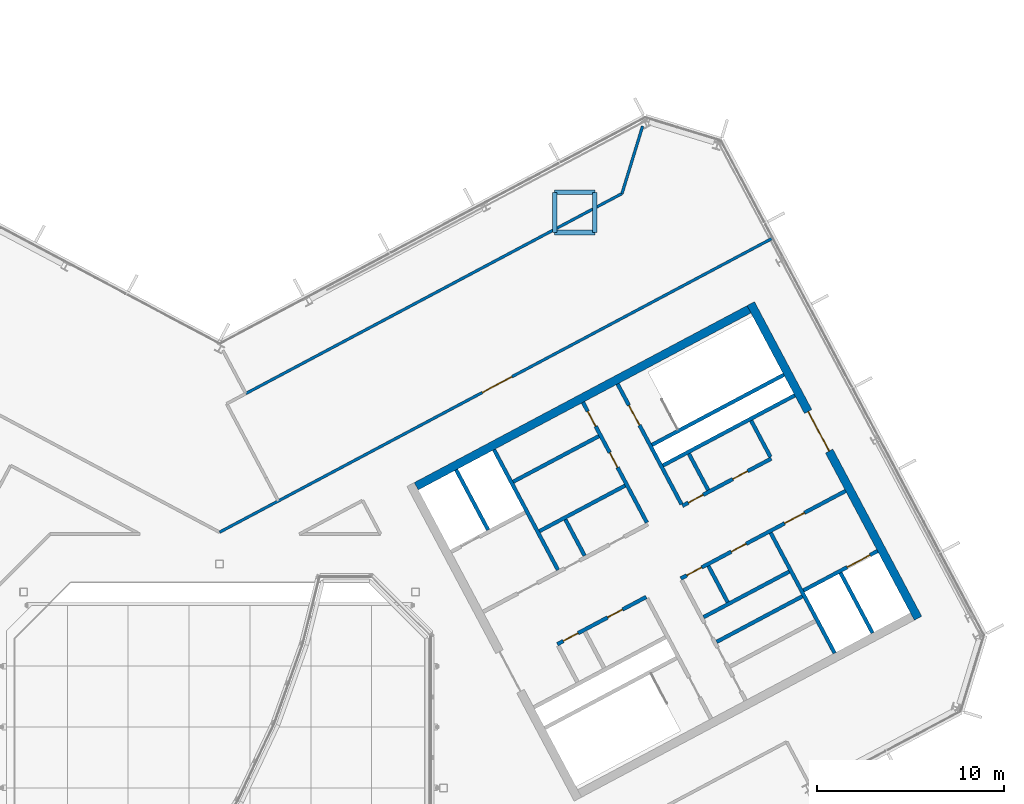
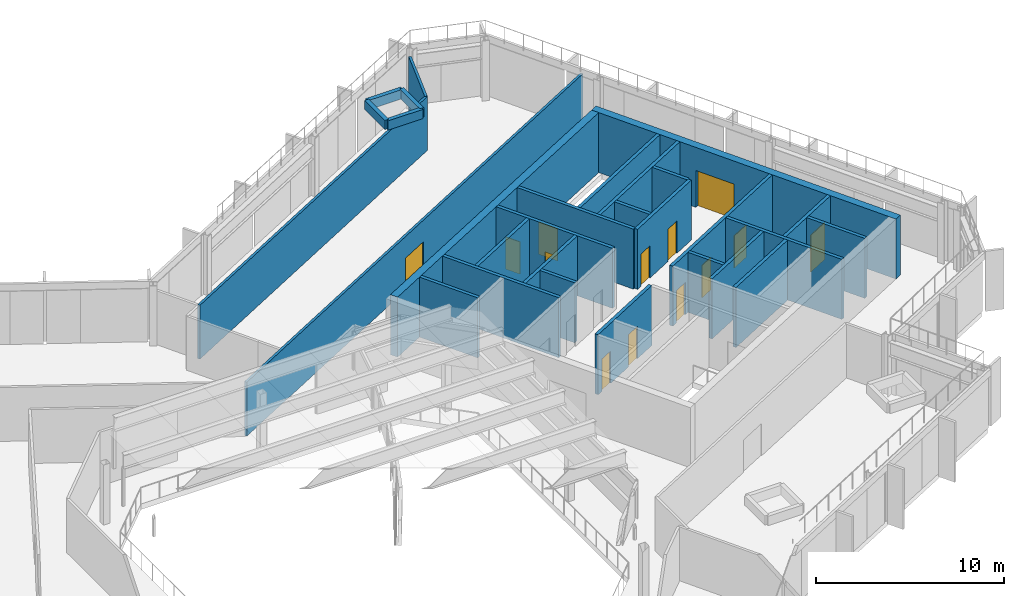
# One storey, part 27 of 35: 29 walls, 13 doors, 13 openings.
"""IFC4 building model written with IfcOpenShell, lengths in metres."""

from ifc_helpers import new_model, si_unit, direction, frame, frame_2d, origin, place, context, subcontext, project, spatial, rectangle, extrude, material, layer, layer_set, type_object, element, fill, save


model = new_model("IFC4")

# Units and contexts
model_context = context("Model", 3, precision=1e-05, world=origin(), true_north=direction((0.0, 1.0)))
body_context = subcontext(model_context, "Body", "Model", "MODEL_VIEW")
ifc_project = project(units=[si_unit("LENGTHUNIT", "METRE"), si_unit("AREAUNIT", "SQUARE_METRE"), si_unit("VOLUMEUNIT", "CUBIC_METRE"), si_unit("PLANEANGLEUNIT", "RADIAN"), si_unit("MASSUNIT", "GRAM", prefix="KILO")], contexts=[model_context])

# Site, building, storey
site_placement = place(None, origin())
site = spatial("IfcSite", under=ifc_project, at=site_placement, CompositionType="ELEMENT")
building_placement = place(site_placement, origin())
building = spatial("IfcBuilding", under=site, at=building_placement, Name="Cormorant Relay Tower", CompositionType="ELEMENT")
storey_placement = place(building_placement, frame((0.0, 0.0, 324.300048828125)))
storey = spatial("IfcBuildingStorey", under=building, at=storey_placement, Name="L74", CompositionType="ELEMENT", Elevation=324.300048828125)

# Walls
ifc_material_1 = material(Name="Concrete 40 MPa", Category="concrete")
ifc_layer_1 = layer(ifc_material_1, 0.199951171875)
ifc_layer_set_1 = layer_set([ifc_layer_1], Name="Core internal wall 200")
wall_type_1 = type_object("IfcWallType", Name="Core internal wall 200", PredefinedType="SOLIDWALL", material=ifc_layer_set_1)
for number, where, z_axis, x_axis, name in (
    (1, (19.568603515625, 12.443603515625, 0.0), (0.0, 0.0, 1.0), (-0.4694473164, 0.882960484464, 0.0), "L74 core B shaft and room wall"),
    (2, (27.236083984375, 9.951416015625, 0.0), (0.0, 0.0, 1.0), (-0.4694473164, 0.882960484464, 0.0), "L74 core B shaft and room wall"),
    (3, (26.19091796875, 15.964599609375, 0.0), (0.0, 0.0, 1.0), (-0.469533832133, 0.882914480843, 0.0), "L74 core B shaft and room wall"),
):
    element("IfcWall", number, at=place(storey_placement, frame(where, z_axis=z_axis, x_axis=x_axis)), inside=storey, type_object=wall_type_1, Name=name, PredefinedType="SOLIDWALL", context=body_context, shape_type="SweptSolid", body=[
        extrude(rectangle(XDim=2.199951171875, YDim=0.199951171875, at=frame_2d((1.10009765625, 0.0))), origin(), (0.0, 0.0, 1.0), 3.89990234375),
    ])
for number, where, z_axis, x_axis, name in (
    (4, (26.645263671875, 7.8251953125, 0.0), (0.0, 0.0, 1.0), (0.882953967957, 0.469459572775, 0.0), "L74 core B shaft and room wall"),
    (5, (15.738525390625, 16.409423828125, 0.0), (0.0, 0.0, 1.0), (0.882934506056, 0.469496174655, 0.0), "L74 core B shaft and room wall"),
):
    element("IfcWall", number, at=place(storey_placement, frame(where, z_axis=z_axis, x_axis=x_axis)), inside=storey, type_object=wall_type_1, Name=name, PredefinedType="SOLIDWALL", context=body_context, shape_type="SweptSolid", body=[
        extrude(rectangle(XDim=5.199951171875, YDim=0.199951171875, at=frame_2d((2.60009765625, 0.0))), origin(), (0.0, 0.0, 1.0), 3.89990234375),
    ])
ifc_material_2 = material(Name="Concrete 50 MPa", Category="concrete")
ifc_layer_2 = layer(ifc_material_2, 0.199951171875)
ifc_layer_set_2 = layer_set([ifc_layer_2], Name="Core shaft wall 200")
wall_type_2 = type_object("IfcWallType", Name="Core shaft wall 200", PredefinedType="SHEAR", material=ifc_layer_set_2)
wall_1_placement = place(storey_placement, frame((14.39404296875, 13.825927734375, 0.0), z_axis=(0.0, 0.0, 1.0), x_axis=(-0.469494272526, 0.882935517501, 0.0)))
element("IfcWall", 6, at=wall_1_placement, inside=storey, type_object=wall_type_2, Name="L74 core B shaft wall", PredefinedType="SHEAR", context=body_context, shape_type="SweptSolid", body=[
    extrude(rectangle(XDim=3.64990234375, YDim=0.199951171875, at=frame_2d((1.824951171875, 0.0))), origin(), (0.0, 0.0, 1.0), 3.89990234375),
])
wall_2_placement = place(storey_placement, frame((18.138427734375, 11.682861328125, 0.0), z_axis=(0.0, 0.0, 1.0), x_axis=(-0.469480409012, 0.88294288918, 0.0)))
element("IfcWall", 7, at=wall_2_placement, inside=storey, type_object=wall_type_2, Name="L74 core B shaft wall", PredefinedType="SHEAR", context=body_context, shape_type="SweptSolid", body=[
    extrude(rectangle(XDim=7.300048828125, YDim=0.199951171875, at=frame_2d((3.64990234375, 0.0))), origin(), (0.0, 0.0, 1.0), 3.89990234375),
])

# Wall, openings, doors
wall_3_placement = place(storey_placement, frame((22.90625, 14.218017578125, 0.0), z_axis=(0.0, 0.0, 1.0), x_axis=(-0.469480409012, 0.88294288918, 0.0)))
wall_3 = element("IfcWall", 8, at=wall_3_placement, inside=storey, type_object=wall_type_2, Name="L74 core B shaft wall", PredefinedType="SHEAR", context=body_context, shape_type="SweptSolid", body=[
    extrude(rectangle(XDim=7.300048828125, YDim=0.199951171875, at=frame_2d((3.64990234375, 0.0))), origin(), (0.0, 0.0, 1.0), 3.89990234375),
])
opening_1_placement = place(wall_3_placement, frame((3.35009765625, 0.0, 0.0)))
opening_1 = element("IfcOpeningElement", 9, at=opening_1_placement, cuts=wall_3, Name="Opening CDD-352", PredefinedType="OPENING", context=body_context, shape_type="SweptSolid", body=[
    extrude(rectangle(XDim=0.89990234375, YDim=2.10009765625, at=frame_2d((0.449951171875, 1.050048828125))), frame((0.0, 0.10986328125, 0.0), z_axis=(0.0, -1.0, 0.0), x_axis=(1.0, 0.0, 0.0)), (0.0, 0.0, 1.0), 0.219970703125),
])
opening_2_placement = place(wall_3_placement, frame((5.85009765625, 0.0, 0.0)))
opening_2 = element("IfcOpeningElement", 10, at=opening_2_placement, cuts=wall_3, Name="Opening CDD-353", PredefinedType="OPENING", context=body_context, shape_type="SweptSolid", body=[
    extrude(rectangle(XDim=0.89990234375, YDim=2.10009765625, at=frame_2d((0.449951171875, 1.050048828125))), frame((0.0, 0.10986328125, 0.0), z_axis=(0.0, -1.0, 0.0), x_axis=(1.0, 0.0, 0.0)), (0.0, 0.0, 1.0), 0.219970703125),
])
ifc_material_3 = material(Name="Steel fire door", Category="steel")
door_type_1 = type_object("IfcDoorType", Name="Core room door 900x2100", OperationType="SINGLE_SWING_LEFT", PredefinedType="DOOR", material=ifc_material_3)
door_1_placement = place(opening_1_placement, origin())
door_1 = element("IfcDoor", 11, at=door_1_placement, inside=storey, type_object=door_type_1, Name="Core room door 900x2100", OperationType="SINGLE_SWING_RIGHT", OverallHeight=2.10009765625, OverallWidth=0.89990234375, PredefinedType="DOOR", context=body_context, shape_type="SweptSolid", body=[
    extrude(rectangle(XDim=0.89990234375, YDim=2.10009765625, at=frame_2d((0.449951171875, 1.050048828125))), frame((0.0, 0.02490234375, 0.0), z_axis=(0.0, -1.0, 0.0), x_axis=(1.0, 0.0, 0.0)), (0.0, 0.0, 1.0), 0.050048828125),
])
fill(opening_1, door_1)
door_2_placement = place(opening_2_placement, origin())
door_2 = element("IfcDoor", 12, at=door_2_placement, inside=storey, type_object=door_type_1, Name="Core room door 900x2100", OperationType="SINGLE_SWING_LEFT", OverallHeight=2.10009765625, OverallWidth=0.89990234375, PredefinedType="DOOR", context=body_context, shape_type="SweptSolid", body=[
    extrude(rectangle(XDim=0.89990234375, YDim=2.10009765625, at=frame_2d((0.449951171875, 1.050048828125))), frame((0.0, 0.02490234375, 0.0), z_axis=(0.0, -1.0, 0.0), x_axis=(1.0, 0.0, 0.0)), (0.0, 0.0, 1.0), 0.050048828125),
])
fill(opening_2, door_2)

# Wall, opening, door
wall_4_placement = place(storey_placement, frame((24.760498046875, 15.2041015625, 0.0), z_axis=(0.0, 0.0, 1.0), x_axis=(-0.469494272526, 0.882935517501, 0.0)))
wall_4 = element("IfcWall", 13, at=wall_4_placement, inside=storey, type_object=wall_type_2, Name="L74 core B shaft wall", PredefinedType="SHEAR", context=body_context, shape_type="SweptSolid", body=[
    extrude(rectangle(XDim=7.2998046875, YDim=0.199951171875, at=frame_2d((3.64990234375, 0.0))), origin(), (0.0, 0.0, 1.0), 3.89990234375),
])
opening_3_placement = place(wall_4_placement, frame((4.800048828125, 0.0, 0.0)))
opening_3 = element("IfcOpeningElement", 14, at=opening_3_placement, cuts=wall_4, Name="Opening CDB-043", PredefinedType="OPENING", context=body_context, shape_type="SweptSolid", body=[
    extrude(rectangle(XDim=1.199951171875, YDim=2.10009765625, at=frame_2d((0.60009765625, 1.050048828125))), frame((0.0, 0.10986328125, 0.0), z_axis=(0.0, -1.0, 0.0), x_axis=(1.0, 0.0, 0.0)), (0.0, 0.0, 1.0), 0.219970703125),
])
ifc_material_4 = material(Name="Steel fire door", Category="steel")
door_type_2 = type_object("IfcDoorType", Name="Core stair door 1200x2100", OperationType="SINGLE_SWING_LEFT", PredefinedType="DOOR", material=ifc_material_4)
door_3_placement = place(opening_3_placement, origin())
door_3 = element("IfcDoor", 15, at=door_3_placement, inside=storey, type_object=door_type_2, Name="Core stair door 1200x2100", OperationType="SINGLE_SWING_RIGHT", OverallHeight=2.10009765625, OverallWidth=1.199951171875, PredefinedType="DOOR", context=body_context, shape_type="SweptSolid", body=[
    extrude(rectangle(XDim=1.199951171875, YDim=2.10009765625, at=frame_2d((0.60009765625, 1.050048828125))), frame((0.0, 0.02490234375, 0.0), z_axis=(0.0, -1.0, 0.0), x_axis=(1.0, 0.0, 0.0)), (0.0, 0.0, 1.0), 0.050048828125),
])
fill(opening_3, door_3)

# Walls
wall_5_placement = place(storey_placement, frame((32.968017578125, 7.222900390625, 0.0), z_axis=(0.0, 0.0, 1.0), x_axis=(-0.469480409012, 0.88294288918, 0.0)))
element("IfcWall", 16, at=wall_5_placement, inside=storey, type_object=wall_type_2, Name="L74 core B shaft wall", PredefinedType="SHEAR", context=body_context, shape_type="SweptSolid", body=[
    extrude(rectangle(XDim=7.300048828125, YDim=0.199951171875, at=frame_2d((3.64990234375, 0.0))), origin(), (0.0, 0.0, 1.0), 3.89990234375),
])
wall_6_placement = place(storey_placement, frame((29.5283203125, 17.739013671875, 0.0), z_axis=(0.0, 0.0, 1.0), x_axis=(-0.469401318492, 0.882984938828, 0.0)))
element("IfcWall", 17, at=wall_6_placement, inside=storey, type_object=wall_type_2, Name="L74 core B shaft wall", PredefinedType="SHEAR", context=body_context, shape_type="SweptSolid", body=[
    extrude(rectangle(XDim=2.199951171875, YDim=0.199951171875, at=frame_2d((1.10009765625, 0.0))), origin(), (0.0, 0.0, 1.0), 3.89990234375),
])
wall_7_placement = place(storey_placement, frame((34.998779296875, 8.302734375, 0.0), z_axis=(0.0, 0.0, 1.0), x_axis=(-0.4694665462, 0.882950260207, 0.0)))
element("IfcWall", 18, at=wall_7_placement, inside=storey, type_object=wall_type_2, Name="L74 core B shaft wall", PredefinedType="SHEAR", context=body_context, shape_type="SweptSolid", body=[
    extrude(rectangle(XDim=3.650146484375, YDim=0.199951171875, at=frame_2d((1.8251953125, 0.0))), origin(), (0.0, 0.0, 1.0), 3.89990234375),
])

# Wall, opening, door
wall_8_placement = place(storey_placement, frame((31.295654296875, 10.5810546875, 0.0), z_axis=(0.0, 0.0, 1.0), x_axis=(0.882960433586, 0.469447412093, 0.0)))
wall_8 = element("IfcWall", 19, at=wall_8_placement, inside=storey, type_object=wall_type_2, Name="L74 core B shaft wall", PredefinedType="SHEAR", context=body_context, shape_type="SweptSolid", body=[
    extrude(rectangle(XDim=4.5, YDim=0.199951171875, at=frame_2d((2.25, 0.0))), origin(), (0.0, 0.0, 1.0), 3.89990234375),
])
opening_4_placement = place(wall_8_placement, frame((2.64990234375, 0.0, 0.0)))
opening_4 = element("IfcOpeningElement", 20, at=opening_4_placement, cuts=wall_8, Name="Opening LD3-016", PredefinedType="OPENING", context=body_context, shape_type="SweptSolid", body=[
    extrude(rectangle(XDim=1.39990234375, YDim=2.39990234375, at=frame_2d((0.699951171875, 1.199951171875))), frame((0.0, 0.10986328125, 0.0), z_axis=(0.0, -1.0, 0.0), x_axis=(1.0, 0.0, 0.0)), (0.0, 0.0, 1.0), 0.219970703125),
])
ifc_material_5 = material(Name="Stainless steel 316", Category="steel")
door_type_3 = type_object("IfcDoorType", Name="Lift landing door 1400x2400", OperationType="DOUBLE_DOOR_SLIDING", PredefinedType="DOOR", material=ifc_material_5)
door_4_placement = place(opening_4_placement, origin())
door_4 = element("IfcDoor", 21, at=door_4_placement, inside=storey, type_object=door_type_3, Name="SV2 landing door", OperationType="DOUBLE_DOOR_SLIDING", OverallHeight=2.39990234375, OverallWidth=1.39990234375, PredefinedType="DOOR", context=body_context, shape_type="SweptSolid", body=[
    extrude(rectangle(XDim=1.39990234375, YDim=2.39990234375, at=frame_2d((0.699951171875, 1.199951171875))), frame((0.0, 0.02490234375, 0.0), z_axis=(0.0, -1.0, 0.0), x_axis=(1.0, 0.0, 0.0)), (0.0, 0.0, 1.0), 0.050048828125),
])
fill(opening_4, door_4)

# Wall
wall_9_placement = place(storey_placement, frame((25.94091796875, 9.149658203125, 0.0), z_axis=(0.0, 0.0, 1.0), x_axis=(0.882953967957, 0.469459572775, 0.0)))
element("IfcWall", 22, at=wall_9_placement, inside=storey, type_object=wall_type_2, Name="L74 core B shaft wall", PredefinedType="SHEAR", context=body_context, shape_type="SweptSolid", body=[
    extrude(rectangle(XDim=5.199951171875, YDim=0.199951171875, at=frame_2d((2.60009765625, 0.0))), origin(), (0.0, 0.0, 1.0), 3.89990234375),
])

# Wall, openings, doors
wall_10_placement = place(storey_placement, frame((18.103759765625, 7.70068359375, 0.0), z_axis=(0.0, 0.0, 1.0), x_axis=(0.882952937579, 0.469461510692, 0.0)))
wall_10 = element("IfcWall", 23, at=wall_10_placement, inside=storey, type_object=wall_type_2, Name="L74 core B shaft wall", PredefinedType="SHEAR", context=body_context, shape_type="SweptSolid", body=[
    extrude(rectangle(XDim=5.400146484375, YDim=0.199951171875, at=frame_2d((2.7001953125, 0.0))), origin(), (0.0, 0.0, 1.0), 3.89990234375),
])
opening_5_placement = place(wall_10_placement, frame((0.360107421875, 0.0, 0.0)))
opening_5 = element("IfcOpeningElement", 24, at=opening_5_placement, cuts=wall_10, Name="Opening CDD-245", PredefinedType="OPENING", context=body_context, shape_type="SweptSolid", body=[
    extrude(rectangle(XDim=0.89990234375, YDim=2.10009765625, at=frame_2d((0.449951171875, 1.050048828125))), frame((0.0, 0.10986328125, 0.0), z_axis=(0.0, -1.0, 0.0), x_axis=(1.0, 0.0, 0.0)), (0.0, 0.0, 1.0), 0.219970703125),
])
opening_6_placement = place(wall_10_placement, frame((3.06005859375, 0.0, 0.0)))
opening_6 = element("IfcOpeningElement", 25, at=opening_6_placement, cuts=wall_10, Name="Opening CDD-246", PredefinedType="OPENING", context=body_context, shape_type="SweptSolid", body=[
    extrude(rectangle(XDim=0.89990234375, YDim=2.10009765625, at=frame_2d((0.449951171875, 1.050048828125))), frame((0.0, 0.10986328125, 0.0), z_axis=(0.0, -1.0, 0.0), x_axis=(1.0, 0.0, 0.0)), (0.0, 0.0, 1.0), 0.219970703125),
])
door_5_placement = place(opening_5_placement, frame((0.89990234375, 0.0, 0.0), z_axis=(0.0, 0.0, 1.0), x_axis=(-1.0, 0.0, 0.0)))
door_5 = element("IfcDoor", 26, at=door_5_placement, inside=storey, type_object=door_type_1, Name="Core room door 900x2100", OperationType="SINGLE_SWING_RIGHT", OverallHeight=2.10009765625, OverallWidth=0.89990234375, PredefinedType="DOOR", context=body_context, shape_type="SweptSolid", body=[
    extrude(rectangle(XDim=0.89990234375, YDim=2.10009765625, at=frame_2d((0.449951171875, 1.050048828125))), frame((0.0, 0.02490234375, 0.0), z_axis=(0.0, -1.0, 0.0), x_axis=(1.0, 0.0, 0.0)), (0.0, 0.0, 1.0), 0.050048828125),
])
fill(opening_5, door_5)
door_6_placement = place(opening_6_placement, frame((0.89990234375, 0.0, 0.0), z_axis=(0.0, 0.0, 1.0), x_axis=(-1.0, 0.0, 0.0)))
door_6 = element("IfcDoor", 27, at=door_6_placement, inside=storey, type_object=door_type_1, Name="Core room door 900x2100", OperationType="SINGLE_SWING_RIGHT", OverallHeight=2.10009765625, OverallWidth=0.89990234375, PredefinedType="DOOR", context=body_context, shape_type="SweptSolid", body=[
    extrude(rectangle(XDim=0.89990234375, YDim=2.10009765625, at=frame_2d((0.449951171875, 1.050048828125))), frame((0.0, 0.02490234375, 0.0), z_axis=(0.0, -1.0, 0.0), x_axis=(1.0, 0.0, 0.0)), (0.0, 0.0, 1.0), 0.050048828125),
])
fill(opening_6, door_6)

wall_11_placement = place(storey_placement, frame((24.72607421875, 11.2216796875, 0.0), z_axis=(0.0, 0.0, 1.0), x_axis=(0.882940221191, 0.469485426614, 0.0)))
wall_11 = element("IfcWall", 28, at=wall_11_placement, inside=storey, type_object=wall_type_2, Name="L74 core B shaft wall", PredefinedType="SHEAR", context=body_context, shape_type="SweptSolid", body=[
    extrude(rectangle(XDim=10.0, YDim=0.199951171875, at=frame_2d((5.0, 0.0))), origin(), (0.0, 0.0, 1.0), 3.89990234375),
])
opening_7_placement = place(wall_11_placement, frame((6.300048828125, 0.0, 0.0)))
opening_7 = element("IfcOpeningElement", 29, at=opening_7_placement, cuts=wall_11, Name="Opening CDC-038", PredefinedType="OPENING", context=body_context, shape_type="SweptSolid", body=[
    extrude(rectangle(XDim=1.199951171875, YDim=2.10009765625, at=frame_2d((0.60009765625, 1.050048828125))), frame((0.0, 0.10986328125, 0.0), z_axis=(0.0, -1.0, 0.0), x_axis=(1.0, 0.0, 0.0)), (0.0, 0.0, 1.0), 0.219970703125),
])
opening_8_placement = place(wall_11_placement, frame((0.360107421875, 0.0, 0.0)))
opening_8 = element("IfcOpeningElement", 30, at=opening_8_placement, cuts=wall_11, Name="Opening CDD-247", PredefinedType="OPENING", context=body_context, shape_type="SweptSolid", body=[
    extrude(rectangle(XDim=0.89990234375, YDim=2.10009765625, at=frame_2d((0.449951171875, 1.050048828125))), frame((0.0, 0.10986328125, 0.0), z_axis=(0.0, -1.0, 0.0), x_axis=(1.0, 0.0, 0.0)), (0.0, 0.0, 1.0), 0.219970703125),
])
opening_9_placement = place(wall_11_placement, frame((3.06005859375, 0.0, 0.0)))
opening_9 = element("IfcOpeningElement", 31, at=opening_9_placement, cuts=wall_11, Name="Opening CDD-248", PredefinedType="OPENING", context=body_context, shape_type="SweptSolid", body=[
    extrude(rectangle(XDim=0.89990234375, YDim=2.10009765625, at=frame_2d((0.449951171875, 1.050048828125))), frame((0.0, 0.10986328125, 0.0), z_axis=(0.0, -1.0, 0.0), x_axis=(1.0, 0.0, 0.0)), (0.0, 0.0, 1.0), 0.219970703125),
])
ifc_material_6 = material(Name="Steel fire door", Category="steel")
door_type_4 = type_object("IfcDoorType", Name="Core lobby door 1200x2100", OperationType="SINGLE_SWING_LEFT", PredefinedType="DOOR", material=ifc_material_6)
door_7_placement = place(opening_7_placement, origin())
door_7 = element("IfcDoor", 32, at=door_7_placement, inside=storey, type_object=door_type_4, Name="Core lobby door 1200x2100", OperationType="SINGLE_SWING_LEFT", OverallHeight=2.10009765625, OverallWidth=1.199951171875, PredefinedType="DOOR", context=body_context, shape_type="SweptSolid", body=[
    extrude(rectangle(XDim=1.199951171875, YDim=2.10009765625, at=frame_2d((0.60009765625, 1.050048828125))), frame((0.0, 0.02490234375, 0.0), z_axis=(0.0, -1.0, 0.0), x_axis=(1.0, 0.0, 0.0)), (0.0, 0.0, 1.0), 0.050048828125),
])
fill(opening_7, door_7)
door_8_placement = place(opening_8_placement, frame((0.89990234375, 0.0, 0.0), z_axis=(0.0, 0.0, 1.0), x_axis=(-1.0, 0.0, 0.0)))
door_8 = element("IfcDoor", 33, at=door_8_placement, inside=storey, type_object=door_type_1, Name="Core room door 900x2100", OperationType="SINGLE_SWING_RIGHT", OverallHeight=2.10009765625, OverallWidth=0.89990234375, PredefinedType="DOOR", context=body_context, shape_type="SweptSolid", body=[
    extrude(rectangle(XDim=0.89990234375, YDim=2.10009765625, at=frame_2d((0.449951171875, 1.050048828125))), frame((0.0, 0.02490234375, 0.0), z_axis=(0.0, -1.0, 0.0), x_axis=(1.0, 0.0, 0.0)), (0.0, 0.0, 1.0), 0.050048828125),
])
fill(opening_8, door_8)
door_9_placement = place(opening_9_placement, frame((0.89990234375, 0.0, 0.0), z_axis=(0.0, 0.0, 1.0), x_axis=(-1.0, 0.0, 0.0)))
door_9 = element("IfcDoor", 34, at=door_9_placement, inside=storey, type_object=door_type_1, Name="Core room door 900x2100", OperationType="SINGLE_SWING_RIGHT", OverallHeight=2.10009765625, OverallWidth=0.89990234375, PredefinedType="DOOR", context=body_context, shape_type="SweptSolid", body=[
    extrude(rectangle(XDim=0.89990234375, YDim=2.10009765625, at=frame_2d((0.449951171875, 1.050048828125))), frame((0.0, 0.02490234375, 0.0), z_axis=(0.0, -1.0, 0.0), x_axis=(1.0, 0.0, 0.0)), (0.0, 0.0, 1.0), 0.050048828125),
])
fill(opening_9, door_9)

wall_12_placement = place(storey_placement, frame((24.807373046875, 15.11572265625, 0.0), z_axis=(0.0, 0.0, 1.0), x_axis=(0.882942972946, 0.469480251476, 0.0)))
wall_12 = element("IfcWall", 35, at=wall_12_placement, inside=storey, type_object=wall_type_2, Name="L74 core B shaft wall", PredefinedType="SHEAR", context=body_context, shape_type="SweptSolid", body=[
    extrude(rectangle(XDim=5.39990234375, YDim=0.199951171875, at=frame_2d((2.699951171875, 0.0))), origin(), (0.0, 0.0, 1.0), 3.89990234375),
])
opening_10_placement = place(wall_12_placement, frame((0.360107421875, 0.0, 0.0)))
opening_10 = element("IfcOpeningElement", 36, at=opening_10_placement, cuts=wall_12, Name="Opening CDD-243", PredefinedType="OPENING", context=body_context, shape_type="SweptSolid", body=[
    extrude(rectangle(XDim=0.89990234375, YDim=2.10009765625, at=frame_2d((0.449951171875, 1.050048828125))), frame((0.0, 0.10986328125, 0.0), z_axis=(0.0, -1.0, 0.0), x_axis=(1.0, 0.0, 0.0)), (0.0, 0.0, 1.0), 0.219970703125),
])
opening_11_placement = place(wall_12_placement, frame((3.06005859375, 0.0, 0.0)))
opening_11 = element("IfcOpeningElement", 37, at=opening_11_placement, cuts=wall_12, Name="Opening CDD-294", PredefinedType="OPENING", context=body_context, shape_type="SweptSolid", body=[
    extrude(rectangle(XDim=0.89990234375, YDim=2.10009765625, at=frame_2d((0.449951171875, 1.050048828125))), frame((0.0, 0.10986328125, 0.0), z_axis=(0.0, -1.0, 0.0), x_axis=(1.0, 0.0, 0.0)), (0.0, 0.0, 1.0), 0.219970703125),
])
door_10_placement = place(opening_10_placement, origin())
door_10 = element("IfcDoor", 38, at=door_10_placement, inside=storey, type_object=door_type_1, Name="Core room door 900x2100", OperationType="SINGLE_SWING_LEFT", OverallHeight=2.10009765625, OverallWidth=0.89990234375, PredefinedType="DOOR", context=body_context, shape_type="SweptSolid", body=[
    extrude(rectangle(XDim=0.89990234375, YDim=2.10009765625, at=frame_2d((0.449951171875, 1.050048828125))), frame((0.0, 0.02490234375, 0.0), z_axis=(0.0, -1.0, 0.0), x_axis=(1.0, 0.0, 0.0)), (0.0, 0.0, 1.0), 0.050048828125),
])
fill(opening_10, door_10)
door_11_placement = place(opening_11_placement, origin())
door_11 = element("IfcDoor", 39, at=door_11_placement, inside=storey, type_object=door_type_1, Name="Core room door 900x2100", OperationType="SINGLE_SWING_LEFT", OverallHeight=2.10009765625, OverallWidth=0.89990234375, PredefinedType="DOOR", context=body_context, shape_type="SweptSolid", body=[
    extrude(rectangle(XDim=0.89990234375, YDim=2.10009765625, at=frame_2d((0.449951171875, 1.050048828125))), frame((0.0, 0.02490234375, 0.0), z_axis=(0.0, -1.0, 0.0), x_axis=(1.0, 0.0, 0.0)), (0.0, 0.0, 1.0), 0.050048828125),
])
fill(opening_11, door_11)

# Walls
wall_13_placement = place(storey_placement, frame((17.146728515625, 13.7607421875, 0.0), z_axis=(0.0, 0.0, 1.0), x_axis=(0.882964314875, 0.469440111896, 0.0)))
element("IfcWall", 40, at=wall_13_placement, inside=storey, type_object=wall_type_2, Name="L74 core B shaft wall", PredefinedType="SHEAR", context=body_context, shape_type="SweptSolid", body=[
    extrude(rectangle(XDim=5.2001953125, YDim=0.199951171875, at=frame_2d((2.60009765625, 0.0))), origin(), (0.0, 0.0, 1.0), 3.89990234375),
])
wall_14_placement = place(storey_placement, frame((23.76904296875, 17.28173828125, 0.0), z_axis=(0.0, 0.0, 1.0), x_axis=(0.882940221191, 0.469485426614, 0.0)))
element("IfcWall", 41, at=wall_14_placement, inside=storey, type_object=wall_type_2, Name="L74 core B shaft wall", PredefinedType="SHEAR", context=body_context, shape_type="SweptSolid", body=[
    extrude(rectangle(XDim=8.0, YDim=0.199951171875, at=frame_2d((4.0, 0.0))), origin(), (0.0, 0.0, 1.0), 3.89990234375),
])
wall_15_placement = place(storey_placement, frame((23.18212890625, 18.385498046875, 0.0), z_axis=(0.0, 0.0, 1.0), x_axis=(0.88295287151, 0.469461634952, 0.0)))
element("IfcWall", 42, at=wall_15_placement, inside=storey, type_object=wall_type_2, Name="L74 core B shaft wall", PredefinedType="SHEAR", context=body_context, shape_type="SweptSolid", body=[
    extrude(rectangle(XDim=7.999755859375, YDim=0.199951171875, at=frame_2d((4.0, 0.0))), origin(), (0.0, 0.0, 1.0), 3.89990234375),
])

# Wall, opening, door
ifc_material_7 = material(Name="Concrete 50 MPa", Category="concrete")
ifc_layer_3 = layer(ifc_material_7, 0.449951171875)
ifc_layer_set_3 = layer_set([ifc_layer_3], Name="Core wall 450")
wall_type_3 = type_object("IfcWallType", Name="Core wall 450", PredefinedType="SHEAR", material=ifc_layer_set_3)
wall_16_placement = place(storey_placement, frame((37.439453125, 9.0908203125, 0.0), z_axis=(0.0, 0.0, 1.0), x_axis=(-0.469467968382, 0.882949504028, 0.0)))
wall_16 = element("IfcWall", 43, at=wall_16_placement, inside=storey, type_object=wall_type_3, Name="L74 core B wall", PredefinedType="SHEAR", context=body_context, shape_type="SweptSolid", body=[
    extrude(rectangle(XDim=19.099853515625, YDim=0.449951171875, at=frame_2d((9.5498046875, 0.0))), origin(), (0.0, 0.0, 1.0), 3.89990234375),
])
opening_12_placement = place(wall_16_placement, frame((10.14990234375, 0.0, 0.0)))
opening_12 = element("IfcOpeningElement", 44, at=opening_12_placement, cuts=wall_16, Name="Opening CDA-053", PredefinedType="OPENING", context=body_context, shape_type="SweptSolid", body=[
    extrude(rectangle(XDim=2.39990234375, YDim=2.39990234375, at=frame_2d((1.199951171875, 1.199951171875))), frame((0.0, 0.23486328125, 0.0), z_axis=(0.0, -1.0, 0.0), x_axis=(1.0, 0.0, 0.0)), (0.0, 0.0, 1.0), 0.469970703125),
])
ifc_material_8 = material(Name="Steel fire door", Category="steel")
door_type_5 = type_object("IfcDoorType", Name="Core lobby door 2400x2400", OperationType="DOUBLE_DOOR_SINGLE_SWING", PredefinedType="DOOR", material=ifc_material_8)
door_12_placement = place(opening_12_placement, origin())
door_12 = element("IfcDoor", 45, at=door_12_placement, inside=storey, type_object=door_type_5, Name="Core lobby door 2400x2400", OperationType="DOUBLE_DOOR_SINGLE_SWING", OverallHeight=2.39990234375, OverallWidth=2.39990234375, PredefinedType="DOOR", context=body_context, shape_type="SweptSolid", body=[
    extrude(rectangle(XDim=2.39990234375, YDim=2.39990234375, at=frame_2d((1.199951171875, 1.199951171875))), frame((0.0, 0.02490234375, 0.0), z_axis=(0.0, -1.0, 0.0), x_axis=(1.0, 0.0, 0.0)), (0.0, 0.0, 1.0), 0.050048828125),
])
fill(opening_12, door_12)

# Wall
wall_17_placement = place(storey_placement, frame((10.5439453125, 16.16748046875, 0.0), z_axis=(0.0, 0.0, 1.0), x_axis=(0.882947755831, 0.46947125628, 0.0)))
element("IfcWall", 46, at=wall_17_placement, inside=storey, type_object=wall_type_3, Name="L74 core B wall", PredefinedType="SHEAR", context=body_context, shape_type="SweptSolid", body=[
    extrude(rectangle(XDim=20.2001953125, YDim=0.449951171875, at=frame_2d((10.10009765625, 0.0))), origin(), (0.0, 0.0, 1.0), 3.89990234375),
])

# Wall, opening, door
ifc_material_9 = material(Name="Gypsum board fire partition")
ifc_layer_4 = layer(ifc_material_9, 0.14990234375)
ifc_layer_set_4 = layer_set([ifc_layer_4], Name="Corridor partition 150 EI 60")
wall_type_4 = type_object("IfcWallType", Name="Corridor partition 150 EI 60", PredefinedType="PARTITIONING", material=ifc_layer_set_4)
wall_18_placement = place(storey_placement, frame((0.0, 13.7041015625, 0.0), z_axis=(0.0, 0.0, 1.0), x_axis=(0.882954463269, 0.469458641196, 0.0)))
wall_18 = element("IfcWall", 47, at=wall_18_placement, inside=storey, type_object=wall_type_4, Name="wall/L74/part/008", PredefinedType="PARTITIONING", context=body_context, shape_type="SweptSolid", body=[
    extrude(rectangle(XDim=33.76611328125, YDim=0.14990234375, at=frame_2d((16.883056640625, 0.0))), origin(), (0.0, 0.0, 1.0), 3.5),
])
opening_13_placement = place(wall_18_placement, frame((15.949951171875, 0.0, 0.0)))
opening_13 = element("IfcOpeningElement", 48, at=opening_13_placement, cuts=wall_18, Name="Opening DD-048", PredefinedType="OPENING", context=body_context, shape_type="SweptSolid", body=[
    extrude(rectangle(XDim=1.800048828125, YDim=2.10009765625, at=frame_2d((0.89990234375, 1.050048828125))), frame((0.0, 0.0849609375, 0.0), z_axis=(0.0, -1.0, 0.0), x_axis=(1.0, 0.0, 0.0)), (0.0, 0.0, 1.0), 0.169921875),
])
ifc_material_10 = material(Name="Timber door leaf", Category="wood")
door_type_6 = type_object("IfcDoorType", Name="Suite double door 1800x2100", OperationType="DOUBLE_DOOR_SINGLE_SWING", PredefinedType="DOOR", material=ifc_material_10)
door_13_placement = place(opening_13_placement, origin())
door_13 = element("IfcDoor", 49, at=door_13_placement, inside=storey, type_object=door_type_6, Name="door/L74/012", OperationType="DOUBLE_DOOR_SINGLE_SWING", OverallHeight=2.10009765625, OverallWidth=1.800048828125, PredefinedType="DOOR", context=body_context, shape_type="SweptSolid", body=[
    extrude(rectangle(XDim=1.800048828125, YDim=2.10009765625, at=frame_2d((0.89990234375, 1.050048828125))), frame((0.0, 0.02490234375, 0.0), z_axis=(0.0, -1.0, 0.0), x_axis=(1.0, 0.0, 0.0)), (0.0, 0.0, 1.0), 0.050048828125),
])
fill(opening_13, door_13)

# Walls
ifc_material_11 = material(Name="Concrete 35 MPa", Category="concrete")
ifc_layer_5 = layer(ifc_material_11, 0.25)
ifc_layer_set_5 = layer_set([ifc_layer_5], Name="Crown planter kerb 250")
wall_type_5 = type_object("IfcWallType", Name="Crown planter kerb 250", PredefinedType="STANDARD", material=ifc_layer_set_5)
wall_19_placement = place(storey_placement, frame((20.110595703125, 31.92236328125, 3.89990234375), z_axis=(0.0, 0.0, 1.0), x_axis=(0.0, -1.0, 0.0)))
element("IfcWall", 50, at=wall_19_placement, inside=storey, type_object=wall_type_5, Name="Planter kerb", PredefinedType="STANDARD", context=body_context, shape_type="SweptSolid", body=[
    extrude(rectangle(XDim=2.150146484375, YDim=0.25, at=frame_2d((1.0751953125, 0.0))), origin(), (0.0, 0.0, 1.0), 0.60009765625),
])
wall_20_placement = place(storey_placement, frame((20.110595703125, 29.772216796875, 3.89990234375), z_axis=(0.0, 0.0, 1.0), x_axis=(-1.0, 0.0, 0.0)))
element("IfcWall", 51, at=wall_20_placement, inside=storey, type_object=wall_type_5, Name="Planter kerb", PredefinedType="STANDARD", context=body_context, shape_type="SweptSolid", body=[
    extrude(rectangle(XDim=2.14990234375, YDim=0.25, at=frame_2d((1.074951171875, 0.0))), origin(), (0.0, 0.0, 1.0), 0.60009765625),
])
wall_21_placement = place(storey_placement, frame((17.960693359375, 29.772216796875, 3.89990234375), z_axis=(0.0, 0.0, 1.0), x_axis=(0.0, 1.0, 0.0)))
element("IfcWall", 52, at=wall_21_placement, inside=storey, type_object=wall_type_5, Name="Planter kerb", PredefinedType="STANDARD", context=body_context, shape_type="SweptSolid", body=[
    extrude(rectangle(XDim=2.150146484375, YDim=0.25, at=frame_2d((1.0751953125, 0.0))), origin(), (0.0, 0.0, 1.0), 0.60009765625),
])
wall_22_placement = place(storey_placement, frame((17.960693359375, 31.92236328125, 3.89990234375), z_axis=(0.0, 0.0, 1.0), x_axis=(1.0, 0.0, 0.0)))
element("IfcWall", 53, at=wall_22_placement, inside=storey, type_object=wall_type_5, Name="Planter kerb", PredefinedType="STANDARD", context=body_context, shape_type="SweptSolid", body=[
    extrude(rectangle(XDim=2.14990234375, YDim=0.25, at=frame_2d((1.074951171875, 0.0))), origin(), (0.0, 0.0, 1.0), 0.60009765625),
])
ifc_material_12 = material(Name="Gypsum board partition")
ifc_layer_6 = layer(ifc_material_12, 0.14990234375)
ifc_layer_set_6 = layer_set([ifc_layer_6], Name="Tenant partition 150")
wall_type_6 = type_object("IfcWallType", Name="Tenant partition 150", PredefinedType="PARTITIONING", material=ifc_layer_set_6)
wall_23_placement = place(storey_placement, frame((1.405029296875, 21.133056640625, 0.0), z_axis=(0.0, 0.0, 1.0), x_axis=(0.882938487938, 0.46948868625, 0.0)))
element("IfcWall", 54, at=wall_23_placement, inside=storey, type_object=wall_type_6, Name="wall/L74/part/034", PredefinedType="PARTITIONING", context=body_context, shape_type="SweptSolid", body=[
    extrude(rectangle(XDim=22.83740234375, YDim=0.14990234375, at=frame_2d((11.418701171875, 0.0))), origin(), (0.0, 0.0, 1.0), 3.5),
])
wall_24_placement = place(storey_placement, frame((21.569091796875, 31.85498046875, 0.0), z_axis=(0.0, 0.0, 1.0), x_axis=(0.292806976968, 0.956171571549, 0.0)))
element("IfcWall", 55, at=wall_24_placement, inside=storey, type_object=wall_type_6, Name="wall/L74/part/035", PredefinedType="PARTITIONING", context=body_context, shape_type="SweptSolid", body=[
    extrude(rectangle(XDim=3.78369140625, YDim=0.14990234375, at=frame_2d((1.891845703125, 0.0))), origin(), (0.0, 0.0, 1.0), 3.5),
])

save(model, "model.ifc")
